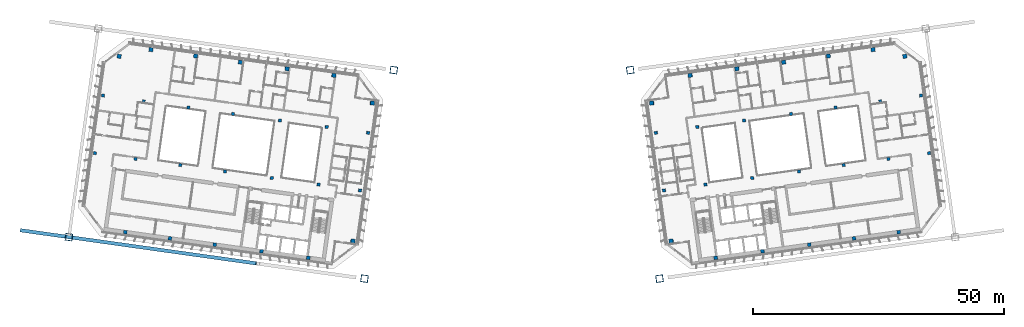
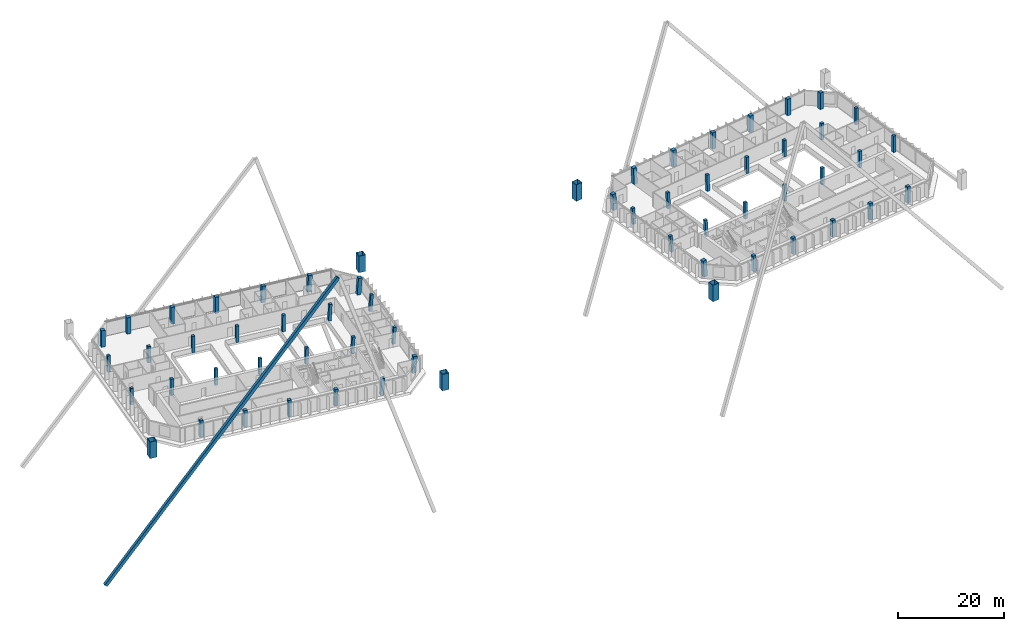
# One storey, part 1 of 38: 58 columns, 2 members.
"""IFC4 building model written with IfcOpenShell, lengths in metres."""

from ifc_helpers import new_model, si_unit, direction, frame, origin, origin_2d, place, context, subcontext, project, spatial, rectangle, hollow_rectangle, extrude, material, material_profile, profile_set, type_object, element, save


model = new_model("IFC4")

# Units and contexts
model_context = context("Model", 3, precision=1e-05, world=origin(), true_north=direction((0.0, 1.0)))
body_context = subcontext(model_context, "Body", "Model", "MODEL_VIEW")
ifc_project = project(units=[si_unit("LENGTHUNIT", "METRE"), si_unit("AREAUNIT", "SQUARE_METRE"), si_unit("VOLUMEUNIT", "CUBIC_METRE"), si_unit("PLANEANGLEUNIT", "RADIAN"), si_unit("MASSUNIT", "GRAM", prefix="KILO")], contexts=[model_context])

# Site, building, storey
site_placement = place(None, origin())
site = spatial("IfcSite", under=ifc_project, at=site_placement, CompositionType="ELEMENT")
building_placement = place(site_placement, origin())
building = spatial("IfcBuilding", under=site, at=building_placement, Name="Mirante Cascada Hotel Towers", CompositionType="ELEMENT")
storey_placement = place(building_placement, frame((0.0, 0.0, 184.0)))
storey = spatial("IfcBuildingStorey", under=building, at=storey_placement, Name="L43", CompositionType="ELEMENT", Elevation=184.0)

# Columns
ifc_material_1 = material(Name="Steel ASTM A572 Gr 50", Category="steel")
ifc_material_profile_1 = material_profile(ifc_material_1, hollow_rectangle(XDim=1.4, YDim=1.4, WallThickness=0.06, at=origin_2d()), Name="Box column 1400x1400x60 ASTM A572 Gr 50")
ifc_profile_set_1 = profile_set([ifc_material_profile_1], Name="Steel ASTM A572 Gr 50")
column_type_1 = type_object("IfcColumnType", Name="Box column 1400x1400x60 ASTM A572 Gr 50", PredefinedType="COLUMN", material=ifc_profile_set_1)
for number, where, z_axis, x_axis, name in (
    (1, (-23.5843, 18.3047, 0.0), (0.0, 0.0, 1.0), (-0.9902681, 0.1391731, 0.0), "Mega column MC1 T1 L43"),
    (2, (-29.4296, -23.2865, 0.0), (0.0, 0.0, 1.0), (-0.9902681, 0.1391731, 0.0), "Mega column MC2 T1 L43"),
    (3, (23.5843, 18.3047, 0.0), (0.0, 0.0, 1.0), (0.9902681, 0.1391731, 0.0), "Mega column MC1 T2 L43"),
    (4, (29.4296, -23.2865, 0.0), (0.0, 0.0, 1.0), (0.9902681, 0.1391731, 0.0), "Mega column MC2 T2 L43"),
):
    element("IfcColumn", number, at=place(storey_placement, frame(where, z_axis=z_axis, x_axis=x_axis)), inside=storey, type_object=column_type_1, Name=name, PredefinedType="COLUMN", context=body_context, shape_type="SweptSolid", body=[
        extrude(hollow_rectangle(XDim=1.4, YDim=1.4, WallThickness=0.06, at=origin_2d()), origin(), (0.0, 0.0, 1.0), 3.8),
    ])
ifc_material_2 = material(Name="Concrete C50/60", Category="concrete")
ifc_material_profile_2 = material_profile(ifc_material_2, rectangle(XDim=0.6, YDim=0.6, at=origin_2d()), Name="RC column 600x600 C50/60")
ifc_profile_set_2 = profile_set([ifc_material_profile_2], Name="Concrete C50/60")
column_type_2 = type_object("IfcColumnType", Name="RC column 600x600 C50/60", PredefinedType="COLUMN", material=ifc_profile_set_2)
for number, where, z_axis, x_axis, name in (
    (5, (-28.7537, 5.8025, 0.004), (0.0708098, -0.0099428, 0.9974403), (0.1390519, 0.9902851, 0.0), "Column T1 L43 2"),
    (6, (-30.3681, -5.6846, 0.004), (0.0708098, -0.0099691, 0.99744), (0.1394126, 0.9902344, 0.0), "Column T1 L43 3"),
):
    element("IfcColumn", number, at=place(storey_placement, frame(where, z_axis=z_axis, x_axis=x_axis)), inside=storey, type_object=column_type_2, Name=name, PredefinedType="COLUMN", context=body_context, shape_type="SweptSolid", body=[
        extrude(rectangle(XDim=0.6, YDim=0.6, at=origin_2d()), origin(), (0.0, 0.0, 1.0), 3.8017),
    ])
for number, where, z_axis, x_axis, name in (
    (7, (-37.0071, 6.9624, 0.004), (0.0532719, -0.0074786, 0.998552), (0.1390223, 0.9902892, 0.0), "Column T1 L43 6"),
    (8, (-38.6215, -4.5247, 0.004), (0.0532719, -0.0074786, 0.998552), (0.1390223, 0.9902892, 0.0), "Column T1 L43 7"),
):
    element("IfcColumn", number, at=place(storey_placement, frame(where, z_axis=z_axis, x_axis=x_axis)), inside=storey, type_object=column_type_2, Name=name, PredefinedType="COLUMN", context=body_context, shape_type="SweptSolid", body=[
        extrude(rectangle(XDim=0.6, YDim=0.6, at=origin_2d()), origin(), (0.0, 0.0, 1.0), 3.7975),
    ])
for number, where, z_axis, x_axis, name in (
    (9, (-46.3224, 8.2716, 0.004), (0.0266517, -0.0037434, 0.9996378), (0.1390897, 0.9902798, 0.0), "Column T1 L43 10"),
    (10, (-47.9368, -3.2155, 0.004), (0.0266517, -0.0037434, 0.9996378), (0.1390897, 0.9902798, 0.0), "Column T1 L43 11"),
):
    element("IfcColumn", number, at=place(storey_placement, frame(where, z_axis=z_axis, x_axis=x_axis)), inside=storey, type_object=column_type_2, Name=name, PredefinedType="COLUMN", context=body_context, shape_type="SweptSolid", body=[
        extrude(rectangle(XDim=0.6, YDim=0.6, at=origin_2d()), origin(), (0.0, 0.0, 1.0), 3.7934),
    ])
for number, where, z_axis, x_axis, name in (
    (11, (-55.6378, 9.5808, 0.0), (0.0, 0.0, 1.0), (-0.9902681, 0.1391731, 0.0), "Column T1 L43 14"),
    (12, (-57.2522, -1.9063, 0.0), (0.0, 0.0, 1.0), (-0.9902681, 0.1391731, 0.0), "Column T1 L43 15"),
    (13, (-64.5502, 10.8333, 0.0), (0.0, 0.0, 1.0), (-0.9902681, 0.1391731, 0.0), "Column T1 L43 18"),
    (14, (-66.1646, -0.6538, 0.0), (0.0, 0.0, 1.0), (-0.9902681, 0.1391731, 0.0), "Column T1 L43 19"),
    (15, (-73.4626, 12.0859, 0.0), (0.0, 0.0, 1.0), (-0.9902681, 0.1391731, 0.0), "Column T1 L43 22"),
    (16, (-75.077, 0.5988, 0.0), (0.0, 0.0, 1.0), (-0.9902681, 0.1391731, 0.0), "Column T1 L43 23"),
    (17, (-81.5828, 13.2271, 0.0), (0.0, 0.0, 1.0), (-0.9902681, 0.1391731, 0.0), "Column T1 L43 26"),
    (18, (-83.1972, 1.74, 0.0), (0.0, 0.0, 1.0), (-0.9902681, 0.1391731, 0.0), "Column T1 L43 27"),
):
    element("IfcColumn", number, at=place(storey_placement, frame(where, z_axis=z_axis, x_axis=x_axis)), inside=storey, type_object=column_type_2, Name=name, PredefinedType="COLUMN", context=body_context, shape_type="SweptSolid", body=[
        extrude(rectangle(XDim=0.6, YDim=0.6, at=origin_2d()), origin(), (0.0, 0.0, 1.0), 3.8),
    ])
for number, where, z_axis, x_axis, name in (
    (19, (28.7537, 5.8025, 0.004), (-0.0708098, -0.0099428, 0.9974403), (0.1390519, -0.9902851, 0.0), "Column T2 L43 2"),
    (20, (30.3681, -5.6846, 0.004), (-0.0708098, -0.0099691, 0.99744), (0.1394126, -0.9902344, 0.0), "Column T2 L43 3"),
):
    element("IfcColumn", number, at=place(storey_placement, frame(where, z_axis=z_axis, x_axis=x_axis)), inside=storey, type_object=column_type_2, Name=name, PredefinedType="COLUMN", context=body_context, shape_type="SweptSolid", body=[
        extrude(rectangle(XDim=0.6, YDim=0.6, at=origin_2d()), origin(), (0.0, 0.0, 1.0), 3.8017),
    ])
for number, where, z_axis, x_axis, name in (
    (21, (37.0071, 6.9624, 0.004), (-0.0532719, -0.0074786, 0.998552), (0.1390223, -0.9902892, 0.0), "Column T2 L43 6"),
    (22, (38.6215, -4.5247, 0.004), (-0.0532719, -0.0074786, 0.998552), (0.1390223, -0.9902892, 0.0), "Column T2 L43 7"),
):
    element("IfcColumn", number, at=place(storey_placement, frame(where, z_axis=z_axis, x_axis=x_axis)), inside=storey, type_object=column_type_2, Name=name, PredefinedType="COLUMN", context=body_context, shape_type="SweptSolid", body=[
        extrude(rectangle(XDim=0.6, YDim=0.6, at=origin_2d()), origin(), (0.0, 0.0, 1.0), 3.7975),
    ])
for number, where, z_axis, x_axis, name in (
    (23, (46.3224, 8.2716, 0.004), (-0.0266517, -0.0037434, 0.9996378), (0.1390897, -0.9902798, 0.0), "Column T2 L43 10"),
    (24, (47.9368, -3.2155, 0.004), (-0.0266517, -0.0037434, 0.9996378), (0.1390897, -0.9902798, 0.0), "Column T2 L43 11"),
):
    element("IfcColumn", number, at=place(storey_placement, frame(where, z_axis=z_axis, x_axis=x_axis)), inside=storey, type_object=column_type_2, Name=name, PredefinedType="COLUMN", context=body_context, shape_type="SweptSolid", body=[
        extrude(rectangle(XDim=0.6, YDim=0.6, at=origin_2d()), origin(), (0.0, 0.0, 1.0), 3.7934),
    ])
for number, where, z_axis, x_axis, name in (
    (25, (55.6378, 9.5808, 0.0), (0.0, 0.0, 1.0), (0.9902681, 0.1391731, 0.0), "Column T2 L43 14"),
    (26, (57.2522, -1.9063, 0.0), (0.0, 0.0, 1.0), (0.9902681, 0.1391731, 0.0), "Column T2 L43 15"),
    (27, (64.5502, 10.8333, 0.0), (0.0, 0.0, 1.0), (0.9902681, 0.1391731, 0.0), "Column T2 L43 18"),
    (28, (66.1646, -0.6538, 0.0), (0.0, 0.0, 1.0), (0.9902681, 0.1391731, 0.0), "Column T2 L43 19"),
    (29, (73.4626, 12.0859, 0.0), (0.0, 0.0, 1.0), (0.9902681, 0.1391731, 0.0), "Column T2 L43 22"),
    (30, (75.077, 0.5988, 0.0), (0.0, 0.0, 1.0), (0.9902681, 0.1391731, 0.0), "Column T2 L43 23"),
    (31, (81.5828, 13.2271, 0.0), (0.0, 0.0, 1.0), (0.9902681, 0.1391731, 0.0), "Column T2 L43 26"),
    (32, (83.1972, 1.74, 0.0), (0.0, 0.0, 1.0), (0.9902681, 0.1391731, 0.0), "Column T2 L43 27"),
):
    element("IfcColumn", number, at=place(storey_placement, frame(where, z_axis=z_axis, x_axis=x_axis)), inside=storey, type_object=column_type_2, Name=name, PredefinedType="COLUMN", context=body_context, shape_type="SweptSolid", body=[
        extrude(rectangle(XDim=0.6, YDim=0.6, at=origin_2d()), origin(), (0.0, 0.0, 1.0), 3.8),
    ])
ifc_material_3 = material(Name="Concrete C50/60", Category="concrete")
ifc_material_profile_3 = material_profile(ifc_material_3, rectangle(XDim=0.7, YDim=0.7, at=origin_2d()), Name="RC column 700x700 C50/60")
ifc_profile_set_3 = profile_set([ifc_material_profile_3], Name="Concrete C50/60")
column_type_3 = type_object("IfcColumnType", Name="RC column 700x700 C50/60", PredefinedType="COLUMN", material=ifc_profile_set_3)
column_1_placement = place(storey_placement, frame((-40.6743, -19.1311, 0.004), z_axis=(0.0532719, -0.0075049, 0.9985518), x_axis=(0.1395023, 0.9902217, 0.0)))
element("IfcColumn", 33, at=column_1_placement, inside=storey, type_object=column_type_3, Name="Column T1 L43 8", PredefinedType="COLUMN", context=body_context, shape_type="SweptSolid", body=[
    extrude(rectangle(XDim=0.7, YDim=0.7, at=origin_2d()), origin(), (0.0, 0.0, 1.0), 3.7975),
])
column_2_placement = place(storey_placement, frame((-49.9896, -17.822, 0.004), z_axis=(0.0266517, -0.0037434, 0.9996378), x_axis=(0.1390897, 0.9902798, 0.0)))
element("IfcColumn", 34, at=column_2_placement, inside=storey, type_object=column_type_3, Name="Column T1 L43 12", PredefinedType="COLUMN", context=body_context, shape_type="SweptSolid", body=[
    extrude(rectangle(XDim=0.7, YDim=0.7, at=origin_2d()), origin(), (0.0, 0.0, 1.0), 3.7934),
])
for number, where, z_axis, x_axis, name in (
    (35, (-59.305, -16.5128, 0.0), (0.0, 0.0, 1.0), (-0.9902681, 0.1391731, 0.0), "Column T1 L43 16"),
    (36, (-68.2174, -15.2602, 0.0), (0.0, 0.0, 1.0), (-0.9902681, 0.1391731, 0.0), "Column T1 L43 20"),
    (37, (-77.1298, -14.0077, 0.0), (0.0, 0.0, 1.0), (-0.9902681, 0.1391731, 0.0), "Column T1 L43 24"),
):
    element("IfcColumn", number, at=place(storey_placement, frame(where, z_axis=z_axis, x_axis=x_axis)), inside=storey, type_object=column_type_3, Name=name, PredefinedType="COLUMN", context=body_context, shape_type="SweptSolid", body=[
        extrude(rectangle(XDim=0.7, YDim=0.7, at=origin_2d()), origin(), (0.0, 0.0, 1.0), 3.8),
    ])
column_3_placement = place(storey_placement, frame((40.6743, -19.1311, 0.004), z_axis=(-0.0532719, -0.0075049, 0.9985518), x_axis=(0.1395023, -0.9902217, 0.0)))
element("IfcColumn", 38, at=column_3_placement, inside=storey, type_object=column_type_3, Name="Column T2 L43 8", PredefinedType="COLUMN", context=body_context, shape_type="SweptSolid", body=[
    extrude(rectangle(XDim=0.7, YDim=0.7, at=origin_2d()), origin(), (0.0, 0.0, 1.0), 3.7975),
])
column_4_placement = place(storey_placement, frame((49.9896, -17.822, 0.004), z_axis=(-0.0266517, -0.0037434, 0.9996378), x_axis=(0.1390897, -0.9902798, 0.0)))
element("IfcColumn", 39, at=column_4_placement, inside=storey, type_object=column_type_3, Name="Column T2 L43 12", PredefinedType="COLUMN", context=body_context, shape_type="SweptSolid", body=[
    extrude(rectangle(XDim=0.7, YDim=0.7, at=origin_2d()), origin(), (0.0, 0.0, 1.0), 3.7934),
])
for number, where, z_axis, x_axis, name in (
    (40, (59.305, -16.5128, 0.0), (0.0, 0.0, 1.0), (0.9902681, 0.1391731, 0.0), "Column T2 L43 16"),
    (41, (68.2174, -15.2602, 0.0), (0.0, 0.0, 1.0), (0.9902681, 0.1391731, 0.0), "Column T2 L43 20"),
    (42, (77.1298, -14.0077, 0.0), (0.0, 0.0, 1.0), (0.9902681, 0.1391731, 0.0), "Column T2 L43 24"),
):
    element("IfcColumn", number, at=place(storey_placement, frame(where, z_axis=z_axis, x_axis=x_axis)), inside=storey, type_object=column_type_3, Name=name, PredefinedType="COLUMN", context=body_context, shape_type="SweptSolid", body=[
        extrude(rectangle(XDim=0.7, YDim=0.7, at=origin_2d()), origin(), (0.0, 0.0, 1.0), 3.8),
    ])
ifc_material_4 = material(Name="Concrete C50/60", Category="concrete")
ifc_material_profile_4 = material_profile(ifc_material_4, rectangle(XDim=0.8, YDim=0.8, at=origin_2d()), Name="RC column 800x800 C50/60")
ifc_profile_set_4 = profile_set([ifc_material_profile_4], Name="Concrete C50/60")
column_type_4 = type_object("IfcColumnType", Name="RC column 800x800 C50/60", PredefinedType="COLUMN", material=ifc_profile_set_4)
for number, where, z_axis, x_axis, name in (
    (43, (-27.9186, 11.7441, 0.004), (0.0707837, -0.0099429, 0.9974421), (0.1391026, 0.990278, 0.0), "Column T1 L43 1"),
    (44, (-31.7876, -15.7854, 0.004), (0.0707837, -0.0099429, 0.9974421), (0.1391026, 0.990278, 0.0), "Column T1 L43 4"),
):
    element("IfcColumn", number, at=place(storey_placement, frame(where, z_axis=z_axis, x_axis=x_axis)), inside=storey, type_object=column_type_4, Name=name, PredefinedType="COLUMN", context=body_context, shape_type="SweptSolid", body=[
        extrude(rectangle(XDim=0.8, YDim=0.8, at=origin_2d()), origin(), (0.0, 0.0, 1.0), 3.8017),
    ])
column_5_placement = place(storey_placement, frame((-35.5597, 17.2612, 0.004), z_axis=(0.0532719, -0.0074786, 0.998552), x_axis=(0.1390223, 0.9902892, 0.0)))
element("IfcColumn", 45, at=column_5_placement, inside=storey, type_object=column_type_4, Name="Column T1 L43 5", PredefinedType="COLUMN", context=body_context, shape_type="SweptSolid", body=[
    extrude(rectangle(XDim=0.8, YDim=0.8, at=origin_2d()), origin(), (0.0, 0.0, 1.0), 3.7975),
])
column_6_placement = place(storey_placement, frame((-44.875, 18.5704, 0.004), z_axis=(0.0266517, -0.0037434, 0.9996378), x_axis=(0.1390897, 0.9902798, 0.0)))
element("IfcColumn", 46, at=column_6_placement, inside=storey, type_object=column_type_4, Name="Column T1 L43 9", PredefinedType="COLUMN", context=body_context, shape_type="SweptSolid", body=[
    extrude(rectangle(XDim=0.8, YDim=0.8, at=origin_2d()), origin(), (0.0, 0.0, 1.0), 3.7934),
])
for number, where, z_axis, x_axis, name in (
    (47, (-54.1904, 19.8796, 0.0), (0.0, 0.0, 1.0), (-0.9902681, 0.1391731, 0.0), "Column T1 L43 13"),
    (48, (-63.1028, 21.1321, 0.0), (0.0, 0.0, 1.0), (-0.9902681, 0.1391731, 0.0), "Column T1 L43 17"),
    (49, (-72.0152, 22.3847, 0.0), (0.0, 0.0, 1.0), (-0.9902681, 0.1391731, 0.0), "Column T1 L43 21"),
    (50, (-78.362, 21.0551, 0.0), (0.0, 0.0, 1.0), (-0.9902681, 0.1391731, 0.0), "Column T1 L43 25"),
):
    element("IfcColumn", number, at=place(storey_placement, frame(where, z_axis=z_axis, x_axis=x_axis)), inside=storey, type_object=column_type_4, Name=name, PredefinedType="COLUMN", context=body_context, shape_type="SweptSolid", body=[
        extrude(rectangle(XDim=0.8, YDim=0.8, at=origin_2d()), origin(), (0.0, 0.0, 1.0), 3.8),
    ])
for number, where, z_axis, x_axis, name in (
    (51, (27.9186, 11.7441, 0.004), (-0.0707837, -0.0099429, 0.9974421), (0.1391026, -0.990278, 0.0), "Column T2 L43 1"),
    (52, (31.7876, -15.7854, 0.004), (-0.0707837, -0.0099429, 0.9974421), (0.1391026, -0.990278, 0.0), "Column T2 L43 4"),
):
    element("IfcColumn", number, at=place(storey_placement, frame(where, z_axis=z_axis, x_axis=x_axis)), inside=storey, type_object=column_type_4, Name=name, PredefinedType="COLUMN", context=body_context, shape_type="SweptSolid", body=[
        extrude(rectangle(XDim=0.8, YDim=0.8, at=origin_2d()), origin(), (0.0, 0.0, 1.0), 3.8017),
    ])
column_7_placement = place(storey_placement, frame((35.5597, 17.2612, 0.004), z_axis=(-0.0532719, -0.0074786, 0.998552), x_axis=(0.1390223, -0.9902892, 0.0)))
element("IfcColumn", 53, at=column_7_placement, inside=storey, type_object=column_type_4, Name="Column T2 L43 5", PredefinedType="COLUMN", context=body_context, shape_type="SweptSolid", body=[
    extrude(rectangle(XDim=0.8, YDim=0.8, at=origin_2d()), origin(), (0.0, 0.0, 1.0), 3.7975),
])
column_8_placement = place(storey_placement, frame((44.875, 18.5704, 0.004), z_axis=(-0.0266517, -0.0037434, 0.9996378), x_axis=(0.1390897, -0.9902798, 0.0)))
element("IfcColumn", 54, at=column_8_placement, inside=storey, type_object=column_type_4, Name="Column T2 L43 9", PredefinedType="COLUMN", context=body_context, shape_type="SweptSolid", body=[
    extrude(rectangle(XDim=0.8, YDim=0.8, at=origin_2d()), origin(), (0.0, 0.0, 1.0), 3.7934),
])
for number, where, z_axis, x_axis, name in (
    (55, (54.1904, 19.8796, 0.0), (0.0, 0.0, 1.0), (0.9902681, 0.1391731, 0.0), "Column T2 L43 13"),
    (56, (63.1028, 21.1321, 0.0), (0.0, 0.0, 1.0), (0.9902681, 0.1391731, 0.0), "Column T2 L43 17"),
    (57, (72.0152, 22.3847, 0.0), (0.0, 0.0, 1.0), (0.9902681, 0.1391731, 0.0), "Column T2 L43 21"),
    (58, (78.362, 21.0551, 0.0), (0.0, 0.0, 1.0), (0.9902681, 0.1391731, 0.0), "Column T2 L43 25"),
):
    element("IfcColumn", number, at=place(storey_placement, frame(where, z_axis=z_axis, x_axis=x_axis)), inside=storey, type_object=column_type_4, Name=name, PredefinedType="COLUMN", context=body_context, shape_type="SweptSolid", body=[
        extrude(rectangle(XDim=0.8, YDim=0.8, at=origin_2d()), origin(), (0.0, 0.0, 1.0), 3.8),
    ])

# Members
ifc_material_5 = material(Name="Steel ASTM A572 Gr 50", Category="steel")
ifc_material_profile_5 = material_profile(ifc_material_5, hollow_rectangle(XDim=0.7, YDim=0.7, WallThickness=0.035, at=origin_2d()), Name="Box brace 700x700x35 ASTM A572 Gr 50")
ifc_profile_set_5 = profile_set([ifc_material_profile_5], Name="Steel ASTM A572 Gr 50")
member_type_1 = type_object("IfcMemberType", Name="Box brace 700x700x35 ASTM A572 Gr 50", PredefinedType="BRACE", material=ifc_profile_set_5)
member_1_placement = place(storey_placement, frame((-97.8199, -13.6749, -27.3045), z_axis=(0.6228698, -0.0875389, 0.7774125), x_axis=(0.1391734, 0.990268, 0.0)))
element("IfcMember", 59, at=member_1_placement, inside=storey, type_object=member_type_1, Name="brace T1 L43 4", PredefinedType="BRACE", context=body_context, shape_type="SweptSolid", body=[
    extrude(hollow_rectangle(XDim=0.7, YDim=0.7, WallThickness=0.035, at=origin_2d()), origin(), (0.0, 0.0, 1.0), 75.4225),
])
ifc_material_6 = material(Name="Steel ASTM A572 Gr 50", Category="steel")
ifc_material_profile_6 = material_profile(ifc_material_6, hollow_rectangle(XDim=1.4, YDim=1.4, WallThickness=0.06, at=origin_2d()), Name="Box post 1400x1400x60 ASTM A572 Gr 50")
ifc_profile_set_6 = profile_set([ifc_material_profile_6], Name="Steel ASTM A572 Gr 50")
member_type_2 = type_object("IfcMemberType", Name="Box post 1400x1400x60 ASTM A572 Gr 50", PredefinedType="POST", material=ifc_profile_set_6)
member_2_placement = place(storey_placement, frame((-88.3776, -15.0019, 0.0), z_axis=(0.0, 0.0, 1.0), x_axis=(-0.9902681, 0.1391731, 0.0)))
element("IfcMember", 60, at=member_2_placement, inside=storey, type_object=member_type_2, Name="Mega column MP4 T1 L43", PredefinedType="POST", context=body_context, shape_type="SweptSolid", body=[
    extrude(hollow_rectangle(XDim=1.4, YDim=1.4, WallThickness=0.06, at=origin_2d()), origin(), (0.0, 0.0, 1.0), 3.8),
])

save(model, "model.ifc")
